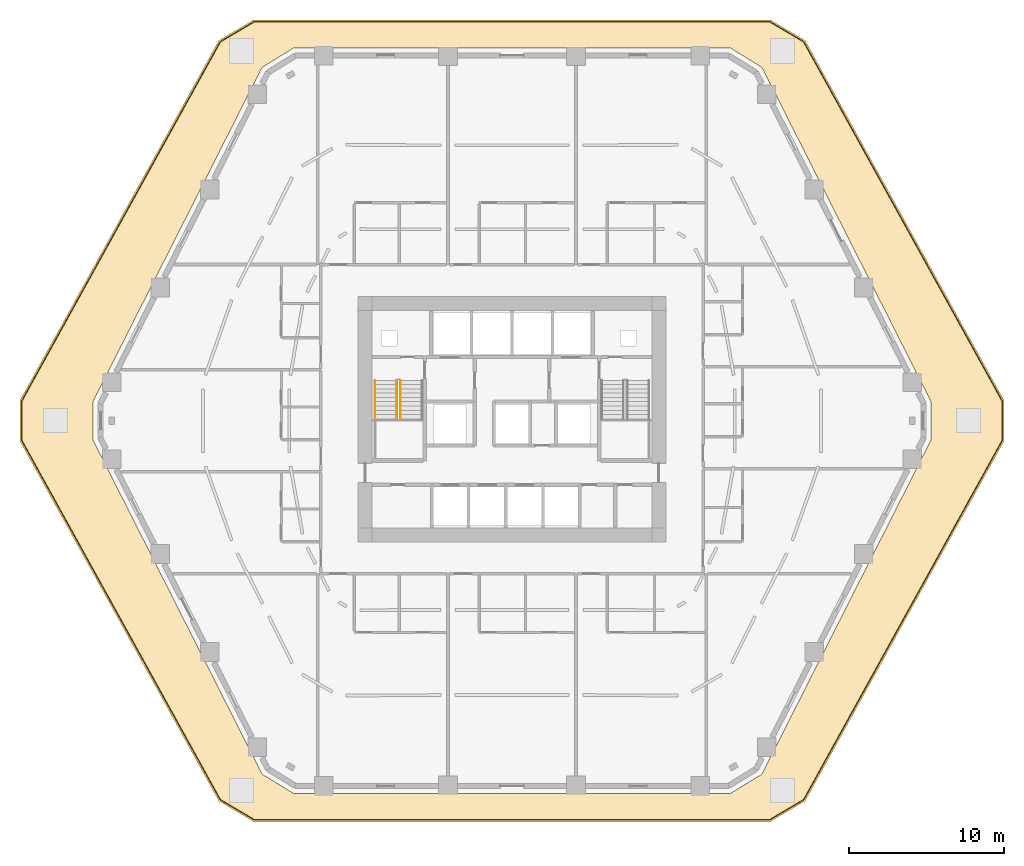
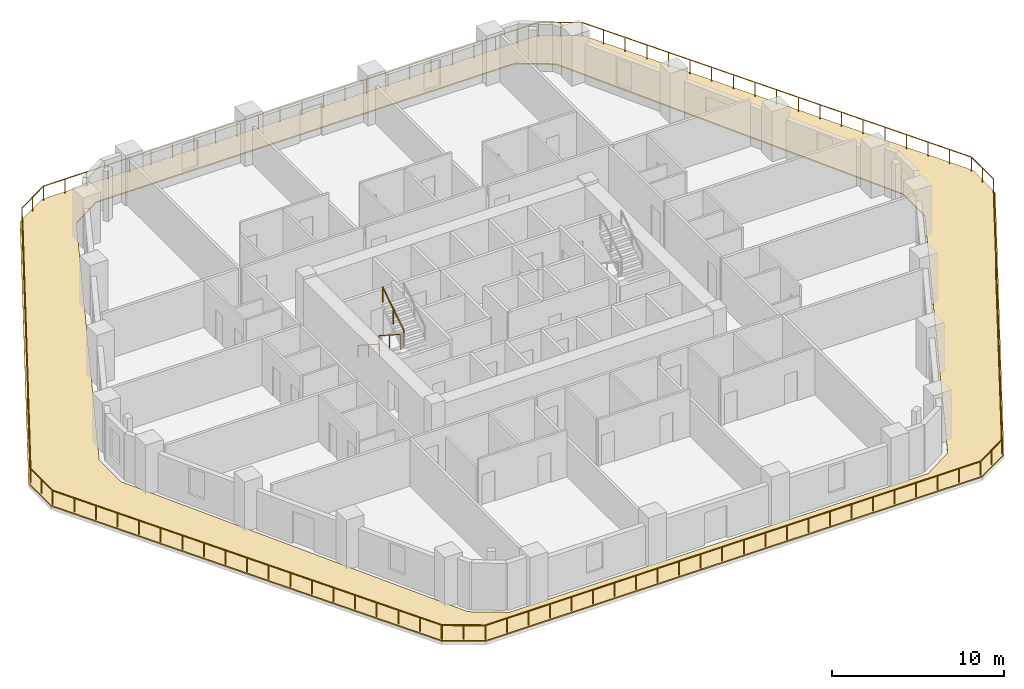
# One storey, part 9 of 10: 4 railings, 1 covering.
"""IFC4 building model written with IfcOpenShell, lengths in metres."""

from ifc_helpers import new_model, si_unit, direction, frame, origin, origin_2d, place, context, subcontext, project, spatial, polyline, rectangle, outline, extrude, material, layer, layer_set, type_object, element, save


model = new_model("IFC4")

# Units and contexts
model_context = context("Model", 3, precision=1e-05, world=origin(), true_north=direction((0.0, 1.0)))
body_context = subcontext(model_context, "Body", "Model", "MODEL_VIEW")
ifc_project = project(units=[si_unit("LENGTHUNIT", "METRE"), si_unit("AREAUNIT", "SQUARE_METRE"), si_unit("VOLUMEUNIT", "CUBIC_METRE"), si_unit("PLANEANGLEUNIT", "RADIAN"), si_unit("MASSUNIT", "GRAM", prefix="KILO")], contexts=[model_context])

# Site, building, storey
site_placement = place(None, origin())
site = spatial("IfcSite", under=ifc_project, at=site_placement, CompositionType="ELEMENT")
building_placement = place(site_placement, origin())
building = spatial("IfcBuilding", under=site, at=building_placement, Name="Cinnabar Lancet Tower", CompositionType="ELEMENT")
storey_placement = place(building_placement, frame((0.0, 0.0, 24.89990234375)))
storey = spatial("IfcBuildingStorey", under=building, at=storey_placement, Name="L05", CompositionType="ELEMENT", Elevation=24.89990234375)

# Covering
ifc_material_1 = material(Name="TPO single-ply insulated waterproof roofing membrane", Category="finish")
ifc_layer = layer(ifc_material_1, 0.0849609375)
ifc_layer_set = layer_set([ifc_layer], Name="TPO single-ply insulated waterproof roofing membrane")
covering_type = type_object("IfcCoveringType", Name="ARC-COV-ROOF-MEM", PredefinedType="ROOFING", material=ifc_layer_set)
covering_placement = place(storey_placement, origin())
element("IfcCovering", 1, at=covering_placement, inside=storey, type_object=covering_type, Name="L05 Insulated TPO Waterproof Roofing Membrane", PredefinedType="ROOFING", context=body_context, shape_type="SweptSolid", body=[
    extrude(outline(polyline([(13.531005859375, 1.31298828125), (15.756103515625, 0.0), (49.0439453125, 0.0), (51.26904296875, 1.31298828125), (64.074951171875, 24.487060546875), (64.074951171875, 27.113037109375), (51.26904296875, 50.287109375), (49.0439453125, 51.60009765625), (15.756103515625, 51.60009765625), (13.531005859375, 50.287109375), (0.72509765625, 27.113037109375), (0.72509765625, 24.487060546875), (13.531005859375, 1.31298828125)]), holes=[polyline([(16.31201171875, 3.049072265625), (18.343994140625, 1.800048828125), (46.4560546875, 1.800048828125), (48.488037109375, 3.049072265625), (59.367919921875, 24.551025390625), (59.367919921875, 27.049072265625), (48.488037109375, 48.551025390625), (46.4560546875, 49.800048828125), (18.343994140625, 49.800048828125), (16.31201171875, 48.551025390625), (5.431884765625, 27.049072265625), (5.431884765625, 24.551025390625), (16.31201171875, 3.049072265625)])]), origin(), (0.0, 0.0, 1.0), 0.085205078125),
])

# Railings
ifc_material_2 = material(Name="Laminated safety glass and bronze stainless steel balustrade", Category="steel")
railing_type_1 = type_object("IfcRailingType", Name="ENV-RLG-BAL-1100", PredefinedType="BALUSTRADE", material=ifc_material_2)
railing_1_placement = place(storey_placement, frame((13.6201171875, 1.39990234375, 0.0)))
element("IfcRailing", 2, at=railing_1_placement, inside=storey, type_object=railing_type_1, Name="L05 Setback Roof Terrace Perimeter Balustrade", PredefinedType="BALUSTRADE", context=body_context, shape_type="SweptSolid", body=[
    extrude(rectangle(XDim=0.048095703125, YDim=0.048095703125, at=origin_2d()), frame((0.0, 0.0, 1.076171875), z_axis=(0.861250588761, -0.508180502734, 0.0), x_axis=(0.508180502734, 0.861250588761, 0.0)), (0.0, 0.0, 1.0), 2.518310546875),
    extrude(rectangle(XDim=0.048095703125, YDim=0.048095703125, at=origin_2d()), frame((2.1689453125, -1.27978515625, 1.076171875), z_axis=(1.0, 0.0, 0.0), x_axis=(0.0, 1.0, 0.0)), (0.0, 0.0, 1.0), 33.221923828125),
    extrude(rectangle(XDim=0.048095703125, YDim=0.048095703125, at=origin_2d()), frame((35.390869140625, -1.27978515625, 1.076171875), z_axis=(0.861250588761, 0.508180502734, 0.0), x_axis=(-0.508180502734, 0.861250588761, 0.0)), (0.0, 0.0, 1.0), 2.518310546875),
    extrude(rectangle(XDim=0.048095703125, YDim=0.048095703125, at=origin_2d()), frame((37.559814453125, 0.0, 1.076171875), z_axis=(0.483666360155, 0.875252450471, 0.0), x_axis=(-0.875252450471, 0.483666360155, 0.0)), (0.0, 0.0, 1.0), 26.4130859375),
    extrude(rectangle(XDim=0.048095703125, YDim=0.048095703125, at=origin_2d()), frame((50.3349609375, 23.1181640625, 1.076171875), z_axis=(0.0, 1.0, 0.0), x_axis=(-1.0, 0.0, 0.0)), (0.0, 0.0, 1.0), 2.56396484375),
    extrude(rectangle(XDim=0.048095703125, YDim=0.048095703125, at=origin_2d()), frame((50.3349609375, 25.68212890625, 1.076171875), z_axis=(-0.483670273086, 0.875250288165, 0.0), x_axis=(-0.875250288165, -0.483670273086, 0.0)), (0.0, 0.0, 1.0), 26.412841796875),
    extrude(rectangle(XDim=0.048095703125, YDim=0.048095703125, at=origin_2d()), frame((37.559814453125, 48.800048828125, 1.076171875), z_axis=(-0.861208158291, 0.508252405889, 0.0), x_axis=(-0.508252405889, -0.861208158291, 0.0)), (0.0, 0.0, 1.0), 2.5185546875),
    extrude(rectangle(XDim=0.048095703125, YDim=0.048095703125, at=origin_2d()), frame((35.390869140625, 50.080078125, 1.076171875), z_axis=(-1.0, 0.0, 0.0), x_axis=(0.0, -1.0, 0.0)), (0.0, 0.0, 1.0), 33.221923828125),
    extrude(rectangle(XDim=0.048095703125, YDim=0.048095703125, at=origin_2d()), frame((2.1689453125, 50.080078125, 1.076171875), z_axis=(-0.861208158291, -0.508252405889, 0.0), x_axis=(0.508252405889, -0.861208158291, 0.0)), (0.0, 0.0, 1.0), 2.5185546875),
    extrude(rectangle(XDim=0.048095703125, YDim=0.048095703125, at=origin_2d()), frame((0.0, 48.800048828125, 1.076171875), z_axis=(-0.483670273086, -0.875250288165, 0.0), x_axis=(0.875250288165, -0.483670273086, 0.0)), (0.0, 0.0, 1.0), 26.412841796875),
    extrude(rectangle(XDim=0.048095703125, YDim=0.048095703125, at=origin_2d()), frame((-12.775146484375, 25.68212890625, 1.076171875), z_axis=(0.0, -1.0, 0.0), x_axis=(1.0, 0.0, 0.0)), (0.0, 0.0, 1.0), 2.56396484375),
    extrude(rectangle(XDim=0.048095703125, YDim=0.048095703125, at=origin_2d()), frame((-12.775146484375, 23.1181640625, 1.076171875), z_axis=(0.483677527305, -0.875246279386, 0.0), x_axis=(0.875246279386, 0.483677527305, 0.0)), (0.0, 0.0, 1.0), 26.373046875),
    extrude(rectangle(XDim=0.0419921875, YDim=0.0419921875, at=origin_2d()), origin(), (0.0, 0.0, 1.0), 1.052001953125),
    extrude(rectangle(XDim=0.0419921875, YDim=0.0419921875, at=origin_2d()), frame((1.08447265625, -0.639892578125, 0.0)), (0.0, 0.0, 1.0), 1.052001953125),
    extrude(rectangle(XDim=0.0419921875, YDim=0.0419921875, at=origin_2d()), frame((2.1689453125, -1.27978515625, 0.0)), (0.0, 0.0, 1.0), 1.052001953125),
    extrude(rectangle(XDim=0.0419921875, YDim=0.0419921875, at=origin_2d()), frame((3.61328125, -1.27978515625, 0.0)), (0.0, 0.0, 1.0), 1.052001953125),
    extrude(rectangle(XDim=0.0419921875, YDim=0.0419921875, at=origin_2d()), frame((5.057861328125, -1.27978515625, 0.0)), (0.0, 0.0, 1.0), 1.052001953125),
    extrude(rectangle(XDim=0.0419921875, YDim=0.0419921875, at=origin_2d()), frame((6.502197265625, -1.27978515625, 0.0)), (0.0, 0.0, 1.0), 1.052001953125),
    extrude(rectangle(XDim=0.0419921875, YDim=0.0419921875, at=origin_2d()), frame((7.94677734375, -1.27978515625, 0.0)), (0.0, 0.0, 1.0), 1.052001953125),
    extrude(rectangle(XDim=0.0419921875, YDim=0.0419921875, at=origin_2d()), frame((9.39111328125, -1.27978515625, 0.0)), (0.0, 0.0, 1.0), 1.052001953125),
    extrude(rectangle(XDim=0.0419921875, YDim=0.0419921875, at=origin_2d()), frame((10.83544921875, -1.27978515625, 0.0)), (0.0, 0.0, 1.0), 1.052001953125),
    extrude(rectangle(XDim=0.0419921875, YDim=0.0419921875, at=origin_2d()), frame((12.280029296875, -1.27978515625, 0.0)), (0.0, 0.0, 1.0), 1.052001953125),
    extrude(rectangle(XDim=0.0419921875, YDim=0.0419921875, at=origin_2d()), frame((13.724365234375, -1.27978515625, 0.0)), (0.0, 0.0, 1.0), 1.052001953125),
    extrude(rectangle(XDim=0.0419921875, YDim=0.0419921875, at=origin_2d()), frame((15.1689453125, -1.27978515625, 0.0)), (0.0, 0.0, 1.0), 1.052001953125),
    extrude(rectangle(XDim=0.0419921875, YDim=0.0419921875, at=origin_2d()), frame((16.61328125, -1.27978515625, 0.0)), (0.0, 0.0, 1.0), 1.052001953125),
    extrude(rectangle(XDim=0.0419921875, YDim=0.0419921875, at=origin_2d()), frame((18.0576171875, -1.27978515625, 0.0)), (0.0, 0.0, 1.0), 1.052001953125),
    extrude(rectangle(XDim=0.0419921875, YDim=0.0419921875, at=origin_2d()), frame((19.502197265625, -1.27978515625, 0.0)), (0.0, 0.0, 1.0), 1.052001953125),
    extrude(rectangle(XDim=0.0419921875, YDim=0.0419921875, at=origin_2d()), frame((20.946533203125, -1.27978515625, 0.0)), (0.0, 0.0, 1.0), 1.052001953125),
    extrude(rectangle(XDim=0.0419921875, YDim=0.0419921875, at=origin_2d()), frame((22.390869140625, -1.27978515625, 0.0)), (0.0, 0.0, 1.0), 1.052001953125),
    extrude(rectangle(XDim=0.0419921875, YDim=0.0419921875, at=origin_2d()), frame((23.83544921875, -1.27978515625, 0.0)), (0.0, 0.0, 1.0), 1.052001953125),
    extrude(rectangle(XDim=0.0419921875, YDim=0.0419921875, at=origin_2d()), frame((25.27978515625, -1.27978515625, 0.0)), (0.0, 0.0, 1.0), 1.052001953125),
    extrude(rectangle(XDim=0.0419921875, YDim=0.0419921875, at=origin_2d()), frame((26.724365234375, -1.27978515625, 0.0)), (0.0, 0.0, 1.0), 1.052001953125),
    extrude(rectangle(XDim=0.0419921875, YDim=0.0419921875, at=origin_2d()), frame((28.168701171875, -1.27978515625, 0.0)), (0.0, 0.0, 1.0), 1.052001953125),
    extrude(rectangle(XDim=0.0419921875, YDim=0.0419921875, at=origin_2d()), frame((29.613037109375, -1.27978515625, 0.0)), (0.0, 0.0, 1.0), 1.052001953125),
    extrude(rectangle(XDim=0.0419921875, YDim=0.0419921875, at=origin_2d()), frame((31.0576171875, -1.27978515625, 0.0)), (0.0, 0.0, 1.0), 1.052001953125),
    extrude(rectangle(XDim=0.0419921875, YDim=0.0419921875, at=origin_2d()), frame((32.501953125, -1.27978515625, 0.0)), (0.0, 0.0, 1.0), 1.052001953125),
    extrude(rectangle(XDim=0.0419921875, YDim=0.0419921875, at=origin_2d()), frame((33.946533203125, -1.27978515625, 0.0)), (0.0, 0.0, 1.0), 1.052001953125),
    extrude(rectangle(XDim=0.0419921875, YDim=0.0419921875, at=origin_2d()), frame((35.390869140625, -1.27978515625, 0.0)), (0.0, 0.0, 1.0), 1.052001953125),
    extrude(rectangle(XDim=0.0419921875, YDim=0.0419921875, at=origin_2d()), frame((36.475341796875, -0.639892578125, 0.0)), (0.0, 0.0, 1.0), 1.052001953125),
    extrude(rectangle(XDim=0.0419921875, YDim=0.0419921875, at=origin_2d()), frame((37.559814453125, 0.0, 0.0)), (0.0, 0.0, 1.0), 1.052001953125),
    extrude(rectangle(XDim=0.0419921875, YDim=0.0419921875, at=origin_2d()), frame((38.26953125, 1.284423828125, 0.0)), (0.0, 0.0, 1.0), 1.052001953125),
    extrude(rectangle(XDim=0.0419921875, YDim=0.0419921875, at=origin_2d()), frame((38.979248046875, 2.568603515625, 0.0)), (0.0, 0.0, 1.0), 1.052001953125),
    extrude(rectangle(XDim=0.0419921875, YDim=0.0419921875, at=origin_2d()), frame((39.68896484375, 3.85302734375, 0.0)), (0.0, 0.0, 1.0), 1.052001953125),
    extrude(rectangle(XDim=0.0419921875, YDim=0.0419921875, at=origin_2d()), frame((40.398681640625, 5.137451171875, 0.0)), (0.0, 0.0, 1.0), 1.052001953125),
    extrude(rectangle(XDim=0.0419921875, YDim=0.0419921875, at=origin_2d()), frame((41.1083984375, 6.421630859375, 0.0)), (0.0, 0.0, 1.0), 1.052001953125),
    extrude(rectangle(XDim=0.0419921875, YDim=0.0419921875, at=origin_2d()), frame((41.818115234375, 7.7060546875, 0.0)), (0.0, 0.0, 1.0), 1.052001953125),
    extrude(rectangle(XDim=0.0419921875, YDim=0.0419921875, at=origin_2d()), frame((42.52783203125, 8.990478515625, 0.0)), (0.0, 0.0, 1.0), 1.052001953125),
    extrude(rectangle(XDim=0.0419921875, YDim=0.0419921875, at=origin_2d()), frame((43.237548828125, 10.274658203125, 0.0)), (0.0, 0.0, 1.0), 1.052001953125),
    extrude(rectangle(XDim=0.0419921875, YDim=0.0419921875, at=origin_2d()), frame((43.947265625, 11.55908203125, 0.0)), (0.0, 0.0, 1.0), 1.052001953125),
    extrude(rectangle(XDim=0.0419921875, YDim=0.0419921875, at=origin_2d()), frame((44.6572265625, 12.843505859375, 0.0)), (0.0, 0.0, 1.0), 1.052001953125),
    extrude(rectangle(XDim=0.0419921875, YDim=0.0419921875, at=origin_2d()), frame((45.366943359375, 14.127685546875, 0.0)), (0.0, 0.0, 1.0), 1.052001953125),
    extrude(rectangle(XDim=0.0419921875, YDim=0.0419921875, at=origin_2d()), frame((46.07666015625, 15.412109375, 0.0)), (0.0, 0.0, 1.0), 1.052001953125),
    extrude(rectangle(XDim=0.0419921875, YDim=0.0419921875, at=origin_2d()), frame((46.786376953125, 16.696533203125, 0.0)), (0.0, 0.0, 1.0), 1.052001953125),
    extrude(rectangle(XDim=0.0419921875, YDim=0.0419921875, at=origin_2d()), frame((47.49609375, 17.980712890625, 0.0)), (0.0, 0.0, 1.0), 1.052001953125),
    extrude(rectangle(XDim=0.0419921875, YDim=0.0419921875, at=origin_2d()), frame((48.205810546875, 19.26513671875, 0.0)), (0.0, 0.0, 1.0), 1.052001953125),
    extrude(rectangle(XDim=0.0419921875, YDim=0.0419921875, at=origin_2d()), frame((48.91552734375, 20.549560546875, 0.0)), (0.0, 0.0, 1.0), 1.052001953125),
    extrude(rectangle(XDim=0.0419921875, YDim=0.0419921875, at=origin_2d()), frame((49.625244140625, 21.833740234375, 0.0)), (0.0, 0.0, 1.0), 1.052001953125),
    extrude(rectangle(XDim=0.0419921875, YDim=0.0419921875, at=origin_2d()), frame((50.3349609375, 23.1181640625, 0.0)), (0.0, 0.0, 1.0), 1.052001953125),
    extrude(rectangle(XDim=0.0419921875, YDim=0.0419921875, at=origin_2d()), frame((50.3349609375, 24.400146484375, 0.0)), (0.0, 0.0, 1.0), 1.052001953125),
    extrude(rectangle(XDim=0.0419921875, YDim=0.0419921875, at=origin_2d()), frame((50.3349609375, 25.68212890625, 0.0)), (0.0, 0.0, 1.0), 1.052001953125),
    extrude(rectangle(XDim=0.0419921875, YDim=0.0419921875, at=origin_2d()), frame((49.625244140625, 26.966552734375, 0.0)), (0.0, 0.0, 1.0), 1.052001953125),
    extrude(rectangle(XDim=0.0419921875, YDim=0.0419921875, at=origin_2d()), frame((48.91552734375, 28.250732421875, 0.0)), (0.0, 0.0, 1.0), 1.052001953125),
    extrude(rectangle(XDim=0.0419921875, YDim=0.0419921875, at=origin_2d()), frame((48.205810546875, 29.53515625, 0.0)), (0.0, 0.0, 1.0), 1.052001953125),
    extrude(rectangle(XDim=0.0419921875, YDim=0.0419921875, at=origin_2d()), frame((47.49609375, 30.8193359375, 0.0)), (0.0, 0.0, 1.0), 1.052001953125),
    extrude(rectangle(XDim=0.0419921875, YDim=0.0419921875, at=origin_2d()), frame((46.786376953125, 32.103759765625, 0.0)), (0.0, 0.0, 1.0), 1.052001953125),
    extrude(rectangle(XDim=0.0419921875, YDim=0.0419921875, at=origin_2d()), frame((46.07666015625, 33.38818359375, 0.0)), (0.0, 0.0, 1.0), 1.052001953125),
    extrude(rectangle(XDim=0.0419921875, YDim=0.0419921875, at=origin_2d()), frame((45.366943359375, 34.67236328125, 0.0)), (0.0, 0.0, 1.0), 1.052001953125),
    extrude(rectangle(XDim=0.0419921875, YDim=0.0419921875, at=origin_2d()), frame((44.6572265625, 35.956787109375, 0.0)), (0.0, 0.0, 1.0), 1.052001953125),
    extrude(rectangle(XDim=0.0419921875, YDim=0.0419921875, at=origin_2d()), frame((43.947265625, 37.2412109375, 0.0)), (0.0, 0.0, 1.0), 1.052001953125),
    extrude(rectangle(XDim=0.0419921875, YDim=0.0419921875, at=origin_2d()), frame((43.237548828125, 38.525390625, 0.0)), (0.0, 0.0, 1.0), 1.052001953125),
    extrude(rectangle(XDim=0.0419921875, YDim=0.0419921875, at=origin_2d()), frame((42.52783203125, 39.809814453125, 0.0)), (0.0, 0.0, 1.0), 1.052001953125),
    extrude(rectangle(XDim=0.0419921875, YDim=0.0419921875, at=origin_2d()), frame((41.818115234375, 41.093994140625, 0.0)), (0.0, 0.0, 1.0), 1.052001953125),
    extrude(rectangle(XDim=0.0419921875, YDim=0.0419921875, at=origin_2d()), frame((41.1083984375, 42.37841796875, 0.0)), (0.0, 0.0, 1.0), 1.052001953125),
    extrude(rectangle(XDim=0.0419921875, YDim=0.0419921875, at=origin_2d()), frame((40.398681640625, 43.662841796875, 0.0)), (0.0, 0.0, 1.0), 1.052001953125),
    extrude(rectangle(XDim=0.0419921875, YDim=0.0419921875, at=origin_2d()), frame((39.68896484375, 44.947021484375, 0.0)), (0.0, 0.0, 1.0), 1.052001953125),
    extrude(rectangle(XDim=0.0419921875, YDim=0.0419921875, at=origin_2d()), frame((38.979248046875, 46.2314453125, 0.0)), (0.0, 0.0, 1.0), 1.052001953125),
    extrude(rectangle(XDim=0.0419921875, YDim=0.0419921875, at=origin_2d()), frame((38.26953125, 47.515625, 0.0)), (0.0, 0.0, 1.0), 1.052001953125),
    extrude(rectangle(XDim=0.0419921875, YDim=0.0419921875, at=origin_2d()), frame((37.559814453125, 48.800048828125, 0.0)), (0.0, 0.0, 1.0), 1.052001953125),
    extrude(rectangle(XDim=0.0419921875, YDim=0.0419921875, at=origin_2d()), frame((36.475341796875, 49.43994140625, 0.0)), (0.0, 0.0, 1.0), 1.052001953125),
    extrude(rectangle(XDim=0.0419921875, YDim=0.0419921875, at=origin_2d()), frame((35.390869140625, 50.080078125, 0.0)), (0.0, 0.0, 1.0), 1.052001953125),
    extrude(rectangle(XDim=0.0419921875, YDim=0.0419921875, at=origin_2d()), frame((33.946533203125, 50.080078125, 0.0)), (0.0, 0.0, 1.0), 1.052001953125),
    extrude(rectangle(XDim=0.0419921875, YDim=0.0419921875, at=origin_2d()), frame((32.501953125, 50.080078125, 0.0)), (0.0, 0.0, 1.0), 1.052001953125),
    extrude(rectangle(XDim=0.0419921875, YDim=0.0419921875, at=origin_2d()), frame((31.0576171875, 50.080078125, 0.0)), (0.0, 0.0, 1.0), 1.052001953125),
    extrude(rectangle(XDim=0.0419921875, YDim=0.0419921875, at=origin_2d()), frame((29.613037109375, 50.080078125, 0.0)), (0.0, 0.0, 1.0), 1.052001953125),
    extrude(rectangle(XDim=0.0419921875, YDim=0.0419921875, at=origin_2d()), frame((28.168701171875, 50.080078125, 0.0)), (0.0, 0.0, 1.0), 1.052001953125),
    extrude(rectangle(XDim=0.0419921875, YDim=0.0419921875, at=origin_2d()), frame((26.724365234375, 50.080078125, 0.0)), (0.0, 0.0, 1.0), 1.052001953125),
    extrude(rectangle(XDim=0.0419921875, YDim=0.0419921875, at=origin_2d()), frame((25.27978515625, 50.080078125, 0.0)), (0.0, 0.0, 1.0), 1.052001953125),
    extrude(rectangle(XDim=0.0419921875, YDim=0.0419921875, at=origin_2d()), frame((23.83544921875, 50.080078125, 0.0)), (0.0, 0.0, 1.0), 1.052001953125),
    extrude(rectangle(XDim=0.0419921875, YDim=0.0419921875, at=origin_2d()), frame((22.390869140625, 50.080078125, 0.0)), (0.0, 0.0, 1.0), 1.052001953125),
    extrude(rectangle(XDim=0.0419921875, YDim=0.0419921875, at=origin_2d()), frame((20.946533203125, 50.080078125, 0.0)), (0.0, 0.0, 1.0), 1.052001953125),
    extrude(rectangle(XDim=0.0419921875, YDim=0.0419921875, at=origin_2d()), frame((19.502197265625, 50.080078125, 0.0)), (0.0, 0.0, 1.0), 1.052001953125),
    extrude(rectangle(XDim=0.0419921875, YDim=0.0419921875, at=origin_2d()), frame((18.0576171875, 50.080078125, 0.0)), (0.0, 0.0, 1.0), 1.052001953125),
    extrude(rectangle(XDim=0.0419921875, YDim=0.0419921875, at=origin_2d()), frame((16.61328125, 50.080078125, 0.0)), (0.0, 0.0, 1.0), 1.052001953125),
    extrude(rectangle(XDim=0.0419921875, YDim=0.0419921875, at=origin_2d()), frame((15.1689453125, 50.080078125, 0.0)), (0.0, 0.0, 1.0), 1.052001953125),
    extrude(rectangle(XDim=0.0419921875, YDim=0.0419921875, at=origin_2d()), frame((13.724365234375, 50.080078125, 0.0)), (0.0, 0.0, 1.0), 1.052001953125),
    extrude(rectangle(XDim=0.0419921875, YDim=0.0419921875, at=origin_2d()), frame((12.280029296875, 50.080078125, 0.0)), (0.0, 0.0, 1.0), 1.052001953125),
    extrude(rectangle(XDim=0.0419921875, YDim=0.0419921875, at=origin_2d()), frame((10.83544921875, 50.080078125, 0.0)), (0.0, 0.0, 1.0), 1.052001953125),
    extrude(rectangle(XDim=0.0419921875, YDim=0.0419921875, at=origin_2d()), frame((9.39111328125, 50.080078125, 0.0)), (0.0, 0.0, 1.0), 1.052001953125),
    extrude(rectangle(XDim=0.0419921875, YDim=0.0419921875, at=origin_2d()), frame((7.94677734375, 50.080078125, 0.0)), (0.0, 0.0, 1.0), 1.052001953125),
    extrude(rectangle(XDim=0.0419921875, YDim=0.0419921875, at=origin_2d()), frame((6.502197265625, 50.080078125, 0.0)), (0.0, 0.0, 1.0), 1.052001953125),
    extrude(rectangle(XDim=0.0419921875, YDim=0.0419921875, at=origin_2d()), frame((5.057861328125, 50.080078125, 0.0)), (0.0, 0.0, 1.0), 1.052001953125),
    extrude(rectangle(XDim=0.0419921875, YDim=0.0419921875, at=origin_2d()), frame((3.61328125, 50.080078125, 0.0)), (0.0, 0.0, 1.0), 1.052001953125),
    extrude(rectangle(XDim=0.0419921875, YDim=0.0419921875, at=origin_2d()), frame((2.1689453125, 50.080078125, 0.0)), (0.0, 0.0, 1.0), 1.052001953125),
    extrude(rectangle(XDim=0.0419921875, YDim=0.0419921875, at=origin_2d()), frame((1.08447265625, 49.43994140625, 0.0)), (0.0, 0.0, 1.0), 1.052001953125),
    extrude(rectangle(XDim=0.0419921875, YDim=0.0419921875, at=origin_2d()), frame((0.0, 48.800048828125, 0.0)), (0.0, 0.0, 1.0), 1.052001953125),
    extrude(rectangle(XDim=0.0419921875, YDim=0.0419921875, at=origin_2d()), frame((-0.709716796875, 47.515625, 0.0)), (0.0, 0.0, 1.0), 1.052001953125),
    extrude(rectangle(XDim=0.0419921875, YDim=0.0419921875, at=origin_2d()), frame((-1.41943359375, 46.2314453125, 0.0)), (0.0, 0.0, 1.0), 1.052001953125),
    extrude(rectangle(XDim=0.0419921875, YDim=0.0419921875, at=origin_2d()), frame((-2.129150390625, 44.947021484375, 0.0)), (0.0, 0.0, 1.0), 1.052001953125),
    extrude(rectangle(XDim=0.0419921875, YDim=0.0419921875, at=origin_2d()), frame((-2.8388671875, 43.662841796875, 0.0)), (0.0, 0.0, 1.0), 1.052001953125),
    extrude(rectangle(XDim=0.0419921875, YDim=0.0419921875, at=origin_2d()), frame((-3.548583984375, 42.37841796875, 0.0)), (0.0, 0.0, 1.0), 1.052001953125),
    extrude(rectangle(XDim=0.0419921875, YDim=0.0419921875, at=origin_2d()), frame((-4.25830078125, 41.093994140625, 0.0)), (0.0, 0.0, 1.0), 1.052001953125),
    extrude(rectangle(XDim=0.0419921875, YDim=0.0419921875, at=origin_2d()), frame((-4.968017578125, 39.809814453125, 0.0)), (0.0, 0.0, 1.0), 1.052001953125),
    extrude(rectangle(XDim=0.0419921875, YDim=0.0419921875, at=origin_2d()), frame((-5.677734375, 38.525390625, 0.0)), (0.0, 0.0, 1.0), 1.052001953125),
    extrude(rectangle(XDim=0.0419921875, YDim=0.0419921875, at=origin_2d()), frame((-6.3876953125, 37.2412109375, 0.0)), (0.0, 0.0, 1.0), 1.052001953125),
    extrude(rectangle(XDim=0.0419921875, YDim=0.0419921875, at=origin_2d()), frame((-7.097412109375, 35.956787109375, 0.0)), (0.0, 0.0, 1.0), 1.052001953125),
    extrude(rectangle(XDim=0.0419921875, YDim=0.0419921875, at=origin_2d()), frame((-7.80712890625, 34.67236328125, 0.0)), (0.0, 0.0, 1.0), 1.052001953125),
    extrude(rectangle(XDim=0.0419921875, YDim=0.0419921875, at=origin_2d()), frame((-8.516845703125, 33.38818359375, 0.0)), (0.0, 0.0, 1.0), 1.052001953125),
    extrude(rectangle(XDim=0.0419921875, YDim=0.0419921875, at=origin_2d()), frame((-9.2265625, 32.103759765625, 0.0)), (0.0, 0.0, 1.0), 1.052001953125),
    extrude(rectangle(XDim=0.0419921875, YDim=0.0419921875, at=origin_2d()), frame((-9.936279296875, 30.8193359375, 0.0)), (0.0, 0.0, 1.0), 1.052001953125),
    extrude(rectangle(XDim=0.0419921875, YDim=0.0419921875, at=origin_2d()), frame((-10.64599609375, 29.53515625, 0.0)), (0.0, 0.0, 1.0), 1.052001953125),
    extrude(rectangle(XDim=0.0419921875, YDim=0.0419921875, at=origin_2d()), frame((-11.355712890625, 28.250732421875, 0.0)), (0.0, 0.0, 1.0), 1.052001953125),
    extrude(rectangle(XDim=0.0419921875, YDim=0.0419921875, at=origin_2d()), frame((-12.0654296875, 26.966552734375, 0.0)), (0.0, 0.0, 1.0), 1.052001953125),
    extrude(rectangle(XDim=0.0419921875, YDim=0.0419921875, at=origin_2d()), frame((-12.775146484375, 25.68212890625, 0.0)), (0.0, 0.0, 1.0), 1.052001953125),
    extrude(rectangle(XDim=0.0419921875, YDim=0.0419921875, at=origin_2d()), frame((-12.775146484375, 24.400146484375, 0.0)), (0.0, 0.0, 1.0), 1.052001953125),
    extrude(rectangle(XDim=0.0419921875, YDim=0.0419921875, at=origin_2d()), frame((-12.775146484375, 23.1181640625, 0.0)), (0.0, 0.0, 1.0), 1.052001953125),
    extrude(rectangle(XDim=0.0419921875, YDim=0.0419921875, at=origin_2d()), frame((-12.06640625, 21.835693359375, 0.0)), (0.0, 0.0, 1.0), 1.052001953125),
    extrude(rectangle(XDim=0.0419921875, YDim=0.0419921875, at=origin_2d()), frame((-11.35791015625, 20.553466796875, 0.0)), (0.0, 0.0, 1.0), 1.052001953125),
    extrude(rectangle(XDim=0.0419921875, YDim=0.0419921875, at=origin_2d()), frame((-10.649169921875, 19.27099609375, 0.0)), (0.0, 0.0, 1.0), 1.052001953125),
    extrude(rectangle(XDim=0.0419921875, YDim=0.0419921875, at=origin_2d()), frame((-9.9404296875, 17.988525390625, 0.0)), (0.0, 0.0, 1.0), 1.052001953125),
    extrude(rectangle(XDim=0.0419921875, YDim=0.0419921875, at=origin_2d()), frame((-9.231689453125, 16.706298828125, 0.0)), (0.0, 0.0, 1.0), 1.052001953125),
    extrude(rectangle(XDim=0.0419921875, YDim=0.0419921875, at=origin_2d()), frame((-8.523193359375, 15.423828125, 0.0)), (0.0, 0.0, 1.0), 1.052001953125),
    extrude(rectangle(XDim=0.0419921875, YDim=0.0419921875, at=origin_2d()), frame((-7.814453125, 14.141357421875, 0.0)), (0.0, 0.0, 1.0), 1.052001953125),
    extrude(rectangle(XDim=0.0419921875, YDim=0.0419921875, at=origin_2d()), frame((-7.105712890625, 12.859130859375, 0.0)), (0.0, 0.0, 1.0), 1.052001953125),
    extrude(rectangle(XDim=0.0419921875, YDim=0.0419921875, at=origin_2d()), frame((-6.39697265625, 11.57666015625, 0.0)), (0.0, 0.0, 1.0), 1.052001953125),
    extrude(rectangle(XDim=0.0419921875, YDim=0.0419921875, at=origin_2d()), frame((-5.6884765625, 10.294189453125, 0.0)), (0.0, 0.0, 1.0), 1.052001953125),
    extrude(rectangle(XDim=0.0419921875, YDim=0.0419921875, at=origin_2d()), frame((-4.979736328125, 9.011962890625, 0.0)), (0.0, 0.0, 1.0), 1.052001953125),
    extrude(rectangle(XDim=0.0419921875, YDim=0.0419921875, at=origin_2d()), frame((-4.27099609375, 7.7294921875, 0.0)), (0.0, 0.0, 1.0), 1.052001953125),
    extrude(rectangle(XDim=0.0419921875, YDim=0.0419921875, at=origin_2d()), frame((-3.5625, 6.447021484375, 0.0)), (0.0, 0.0, 1.0), 1.052001953125),
    extrude(rectangle(XDim=0.0419921875, YDim=0.0419921875, at=origin_2d()), frame((-2.853759765625, 5.164794921875, 0.0)), (0.0, 0.0, 1.0), 1.052001953125),
    extrude(rectangle(XDim=0.0419921875, YDim=0.0419921875, at=origin_2d()), frame((-2.14501953125, 3.88232421875, 0.0)), (0.0, 0.0, 1.0), 1.052001953125),
    extrude(rectangle(XDim=0.0419921875, YDim=0.0419921875, at=origin_2d()), frame((-1.436279296875, 2.599853515625, 0.0)), (0.0, 0.0, 1.0), 1.052001953125),
    extrude(rectangle(XDim=0.0419921875, YDim=0.0419921875, at=origin_2d()), frame((-0.727783203125, 1.317626953125, 0.0)), (0.0, 0.0, 1.0), 1.052001953125),
    extrude(rectangle(XDim=0.0419921875, YDim=0.0419921875, at=origin_2d()), frame((-0.01904296875, 0.03515625, 0.0)), (0.0, 0.0, 1.0), 1.052001953125),
])
ifc_material_3 = material(Name="Painted galvanized steel balustrade", Category="steel")
railing_type_2 = type_object("IfcRailingType", Name="GUARD-STAIR", PredefinedType="GUARDRAIL", material=ifc_material_3)
railing_2_placement = place(storey_placement, frame((24.97509765625, 28.39990234375, 0.177490234375)))
element("IfcRailing", 3, at=railing_2_placement, inside=storey, type_object=railing_type_2, Name="L05 ST-1 stair guard 1", PredefinedType="GUARDRAIL", context=body_context, shape_type="SweptSolid", body=[
    extrude(rectangle(XDim=0.048095703125, YDim=0.048095703125, at=origin_2d()), frame((0.0, 0.0, 1.076171875), z_axis=(0.0, -0.84014559416, 0.542360932049), x_axis=(1.0, 0.0, 0.0)), (0.0, 0.0, 1.0), 2.94580078125),
    extrude(rectangle(XDim=0.0419921875, YDim=0.0419921875, at=origin_2d()), origin(), (0.0, 0.0, 1.0), 1.052001953125),
    extrude(rectangle(XDim=0.0419921875, YDim=0.0419921875, at=origin_2d()), frame((0.0, -1.2373046875, 0.798828125)), (0.0, 0.0, 1.0), 1.052001953125),
    extrude(rectangle(XDim=0.0419921875, YDim=0.0419921875, at=origin_2d()), frame((0.0, -2.474853515625, 1.59765625)), (0.0, 0.0, 1.0), 1.052001953125),
])
railing_3_placement = place(storey_placement, frame((25.22509765625, 25.925048828125, 1.95263671875)))
element("IfcRailing", 4, at=railing_3_placement, inside=storey, type_object=railing_type_2, Name="L05 ST-1 stair guard 3", PredefinedType="GUARDRAIL", context=body_context, shape_type="SweptSolid", body=[
    extrude(rectangle(XDim=0.048095703125, YDim=0.048095703125, at=origin_2d()), frame((0.0, 0.0, 1.076171875), z_axis=(0.0, 0.840183358697, 0.542302428327), x_axis=(-1.0, 0.0, 0.0)), (0.0, 0.0, 1.0), 2.945556640625),
    extrude(rectangle(XDim=0.0419921875, YDim=0.0419921875, at=origin_2d()), origin(), (0.0, 0.0, 1.0), 1.052001953125),
    extrude(rectangle(XDim=0.0419921875, YDim=0.0419921875, at=origin_2d()), frame((0.0, 1.2373046875, 0.798828125)), (0.0, 0.0, 1.0), 1.052001953125),
    extrude(rectangle(XDim=0.0419921875, YDim=0.0419921875, at=origin_2d()), frame((0.0, 2.474853515625, 1.597412109375)), (0.0, 0.0, 1.0), 1.052001953125),
])
ifc_material_4 = material(Name="Brushed stainless steel handrail", Category="steel")
railing_type_3 = type_object("IfcRailingType", Name="HANDRAIL-STAIR", PredefinedType="HANDRAIL", material=ifc_material_4)
railing_4_placement = place(storey_placement, frame((23.574951171875, 28.39990234375, 0.177490234375)))
element("IfcRailing", 5, at=railing_4_placement, inside=storey, type_object=railing_type_3, Name="L05 ST-1 stair handrail 1", PredefinedType="HANDRAIL", context=body_context, shape_type="SweptSolid", body=[
    extrude(rectangle(XDim=0.048095703125, YDim=0.048095703125, at=origin_2d()), frame((0.0, 0.0, 0.8759765625), z_axis=(0.0, -0.84014559416, 0.542360932049), x_axis=(1.0, 0.0, 0.0)), (0.0, 0.0, 1.0), 2.94580078125),
    extrude(rectangle(XDim=0.0419921875, YDim=0.0419921875, at=origin_2d()), origin(), (0.0, 0.0, 1.0), 0.851806640625),
    extrude(rectangle(XDim=0.0419921875, YDim=0.0419921875, at=origin_2d()), frame((0.0, -1.2373046875, 0.798828125)), (0.0, 0.0, 1.0), 0.851806640625),
    extrude(rectangle(XDim=0.0419921875, YDim=0.0419921875, at=origin_2d()), frame((0.0, -2.474853515625, 1.59765625)), (0.0, 0.0, 1.0), 0.851806640625),
])

save(model, "model.ifc")
